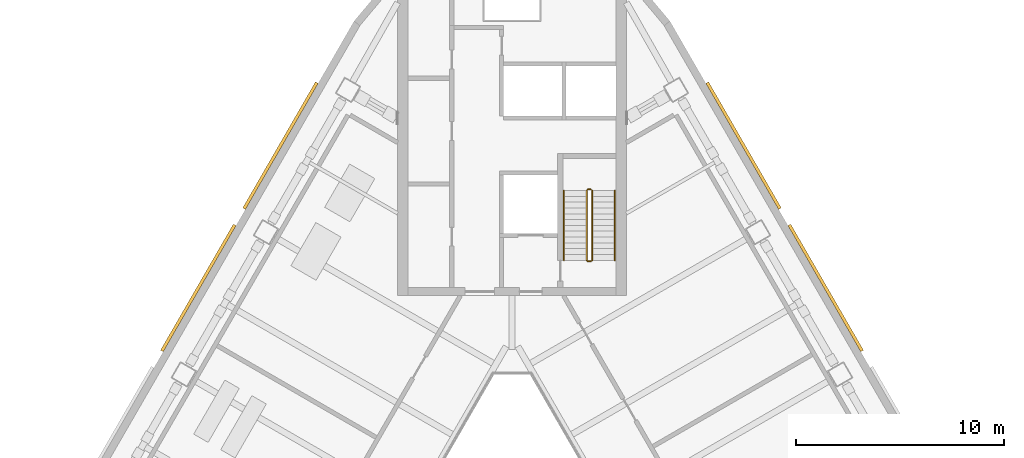
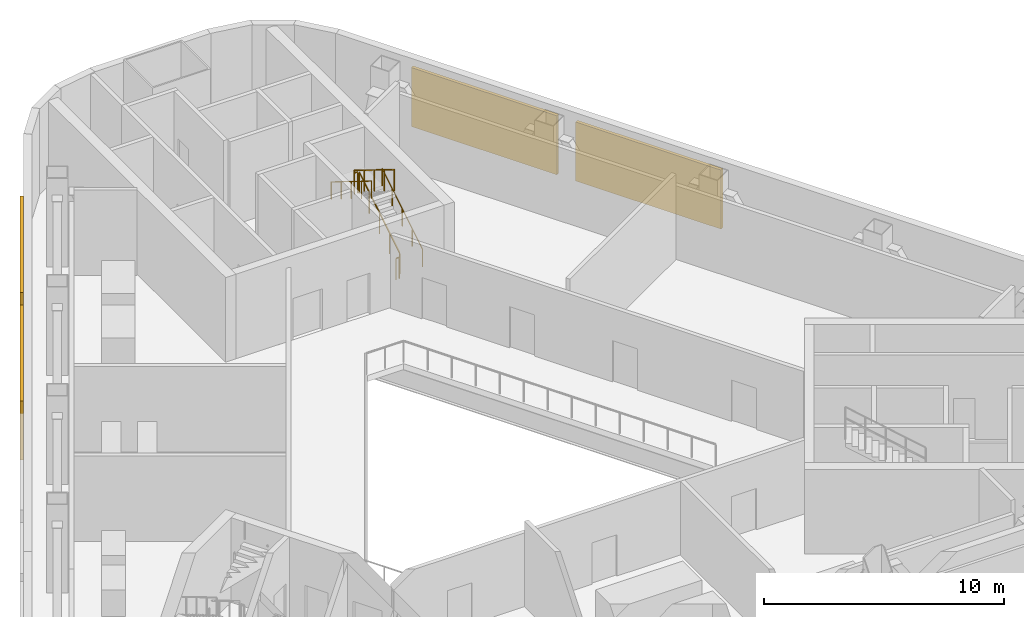
# One storey, part 13 of 14: 6 railings, 4 shading devices.
"""IFC4 building model written with IfcOpenShell, lengths in metres."""

from ifc_helpers import new_model, si_unit, direction, frame, origin, origin_2d, place, context, subcontext, project, spatial, rectangle, circle, extrude, material, type_object, element, save


model = new_model("IFC4")

# Units and contexts
model_context = context("Model", 3, precision=1e-05, world=origin(), true_north=direction((0.0, 1.0)))
body_context = subcontext(model_context, "Body", "Model", "MODEL_VIEW")
ifc_project = project(units=[si_unit("LENGTHUNIT", "METRE"), si_unit("AREAUNIT", "SQUARE_METRE"), si_unit("VOLUMEUNIT", "CUBIC_METRE"), si_unit("PLANEANGLEUNIT", "RADIAN"), si_unit("MASSUNIT", "GRAM", prefix="KILO")], contexts=[model_context])

# Site, building, storey
site_placement = place(None, origin())
site = spatial("IfcSite", under=ifc_project, at=site_placement, CompositionType="ELEMENT")
building_placement = place(site_placement, origin())
building = spatial("IfcBuilding", under=site, at=building_placement, Name="Apuvela Tower Hotel", CompositionType="ELEMENT")
storey_placement = place(building_placement, frame((0.0, 0.0, 142.10009765625)))
storey = spatial("IfcBuildingStorey", under=building, at=storey_placement, Name="L33 Plant", CompositionType="ELEMENT", Elevation=142.10009765625)

# Railings
ifc_material_1 = material(Name="Steel S275 balustrade", Category="steel")
railing_type_1 = type_object("IfcRailingType", Name="COR-GUARD-1100", PredefinedType="GUARDRAIL", material=ifc_material_1)
railing_1_placement = place(storey_placement, frame((3.85009765625, 14.60009765625, 0.173095703125)))
element("IfcRailing", 1, at=railing_1_placement, inside=storey, type_object=railing_type_1, Name="L33 Plant ST1 stair guard 1", PredefinedType="GUARDRAIL", context=body_context, shape_type="SweptSolid", body=[
    extrude(rectangle(XDim=0.048095703125, YDim=0.048095703125, at=origin_2d()), frame((0.0, 0.0, 1.076171875), z_axis=(0.0, 0.850606129759, 0.525803396734), x_axis=(-1.0, 0.0, 0.0)), (0.0, 0.0, 1.0), 3.949951171875),
    extrude(rectangle(XDim=0.0419921875, YDim=0.0419921875, at=origin_2d()), origin(), (0.0, 0.0, 1.0), 1.052001953125),
    extrude(rectangle(XDim=0.0419921875, YDim=0.0419921875, at=origin_2d()), frame((0.0, 0.83984375, 0.519287109375)), (0.0, 0.0, 1.0), 1.052001953125),
    extrude(rectangle(XDim=0.0419921875, YDim=0.0419921875, at=origin_2d()), frame((0.0, 1.679931640625, 1.03857421875)), (0.0, 0.0, 1.0), 1.052001953125),
    extrude(rectangle(XDim=0.0419921875, YDim=0.0419921875, at=origin_2d()), frame((0.0, 2.52001953125, 1.5576171875)), (0.0, 0.0, 1.0), 1.052001953125),
    extrude(rectangle(XDim=0.0419921875, YDim=0.0419921875, at=origin_2d()), frame((0.0, 3.35986328125, 2.076904296875)), (0.0, 0.0, 1.0), 1.052001953125),
])
railing_2_placement = place(storey_placement, frame((3.800048828125, 18.010009765625, 2.25)))
element("IfcRailing", 2, at=railing_2_placement, inside=storey, type_object=railing_type_1, Name="L33 Plant ST1 stair guard 2", PredefinedType="GUARDRAIL", context=body_context, shape_type="SweptSolid", body=[
    extrude(rectangle(XDim=0.048095703125, YDim=0.048095703125, at=origin_2d()), frame((0.0, 0.0, 1.076171875), z_axis=(-1.0, 0.0, 0.0), x_axis=(0.0, -1.0, 0.0)), (0.0, 0.0, 1.0), 0.150146484375),
    extrude(rectangle(XDim=0.0419921875, YDim=0.0419921875, at=origin_2d()), origin(), (0.0, 0.0, 1.0), 1.052001953125),
    extrude(rectangle(XDim=0.0419921875, YDim=0.0419921875, at=origin_2d()), frame((-0.150146484375, 0.0, 0.0)), (0.0, 0.0, 1.0), 1.052001953125),
])
railing_3_placement = place(storey_placement, frame((3.60009765625, 17.9599609375, 2.423095703125)))
element("IfcRailing", 3, at=railing_3_placement, inside=storey, type_object=railing_type_1, Name="L33 Plant ST1 stair guard 3", PredefinedType="GUARDRAIL", context=body_context, shape_type="SweptSolid", body=[
    extrude(rectangle(XDim=0.048095703125, YDim=0.048095703125, at=origin_2d()), frame((0.0, 0.0, 1.076171875), z_axis=(0.0, -0.850606129759, 0.525803396734), x_axis=(1.0, 0.0, 0.0)), (0.0, 0.0, 1.0), 3.949951171875),
    extrude(rectangle(XDim=0.0419921875, YDim=0.0419921875, at=origin_2d()), origin(), (0.0, 0.0, 1.0), 1.052001953125),
    extrude(rectangle(XDim=0.0419921875, YDim=0.0419921875, at=origin_2d()), frame((0.0, -0.83984375, 0.519287109375)), (0.0, 0.0, 1.0), 1.052001953125),
    extrude(rectangle(XDim=0.0419921875, YDim=0.0419921875, at=origin_2d()), frame((0.0, -1.679931640625, 1.03857421875)), (0.0, 0.0, 1.0), 1.052001953125),
    extrude(rectangle(XDim=0.0419921875, YDim=0.0419921875, at=origin_2d()), frame((0.0, -2.52001953125, 1.5576171875)), (0.0, 0.0, 1.0), 1.052001953125),
    extrude(rectangle(XDim=0.0419921875, YDim=0.0419921875, at=origin_2d()), frame((0.0, -3.35986328125, 2.076904296875)), (0.0, 0.0, 1.0), 1.052001953125),
])
railing_4_placement = place(storey_placement, frame((3.800048828125, 14.550048828125, 0.0)))
element("IfcRailing", 4, at=railing_4_placement, inside=storey, type_object=railing_type_1, Name="L33 Plant ST1 stair guard 4", PredefinedType="GUARDRAIL", context=body_context, shape_type="SweptSolid", body=[
    extrude(rectangle(XDim=0.048095703125, YDim=0.048095703125, at=origin_2d()), frame((0.0, 0.0, 1.076171875), z_axis=(-1.0, 0.0, 0.0), x_axis=(0.0, -1.0, 0.0)), (0.0, 0.0, 1.0), 0.150146484375),
    extrude(rectangle(XDim=0.0419921875, YDim=0.0419921875, at=origin_2d()), origin(), (0.0, 0.0, 1.0), 1.052001953125),
    extrude(rectangle(XDim=0.0419921875, YDim=0.0419921875, at=origin_2d()), frame((-0.150146484375, 0.0, 0.0)), (0.0, 0.0, 1.0), 1.052001953125),
])
ifc_material_2 = material(Name="Stainless steel 316 handrail", Category="steel")
railing_type_2 = type_object("IfcRailingType", Name="COR-HANDRAIL-900", PredefinedType="HANDRAIL", material=ifc_material_2)
railing_5_placement = place(storey_placement, frame((4.949951171875, 14.60009765625, 0.173095703125)))
element("IfcRailing", 5, at=railing_5_placement, inside=storey, type_object=railing_type_2, Name="L33 Plant ST1 stair handrail 1", PredefinedType="HANDRAIL", context=body_context, shape_type="SweptSolid", body=[
    extrude(circle(Radius=0.02392578125, at=origin_2d()), frame((0.0, 0.0, 0.8759765625), z_axis=(0.0, 0.850606129759, 0.525803396734), x_axis=(-1.0, 0.0, 0.0)), (0.0, 0.0, 1.0), 3.949951171875),
    extrude(rectangle(XDim=0.0419921875, YDim=0.0419921875, at=origin_2d()), origin(), (0.0, 0.0, 1.0), 0.851806640625),
    extrude(rectangle(XDim=0.0419921875, YDim=0.0419921875, at=origin_2d()), frame((0.0, 0.83984375, 0.519287109375)), (0.0, 0.0, 1.0), 0.851806640625),
    extrude(rectangle(XDim=0.0419921875, YDim=0.0419921875, at=origin_2d()), frame((0.0, 1.679931640625, 1.03857421875)), (0.0, 0.0, 1.0), 0.851806640625),
    extrude(rectangle(XDim=0.0419921875, YDim=0.0419921875, at=origin_2d()), frame((0.0, 2.52001953125, 1.5576171875)), (0.0, 0.0, 1.0), 0.851806640625),
    extrude(rectangle(XDim=0.0419921875, YDim=0.0419921875, at=origin_2d()), frame((0.0, 3.35986328125, 2.076904296875)), (0.0, 0.0, 1.0), 0.851806640625),
])
railing_6_placement = place(storey_placement, frame((2.5, 17.9599609375, 2.423095703125)))
element("IfcRailing", 6, at=railing_6_placement, inside=storey, type_object=railing_type_2, Name="L33 Plant ST1 stair handrail 2", PredefinedType="HANDRAIL", context=body_context, shape_type="SweptSolid", body=[
    extrude(circle(Radius=0.02392578125, at=origin_2d()), frame((0.0, 0.0, 0.8759765625), z_axis=(0.0, -0.850606129759, 0.525803396734), x_axis=(1.0, 0.0, 0.0)), (0.0, 0.0, 1.0), 3.949951171875),
    extrude(rectangle(XDim=0.0419921875, YDim=0.0419921875, at=origin_2d()), origin(), (0.0, 0.0, 1.0), 0.851806640625),
    extrude(rectangle(XDim=0.0419921875, YDim=0.0419921875, at=origin_2d()), frame((0.0, -0.83984375, 0.519287109375)), (0.0, 0.0, 1.0), 0.851806640625),
    extrude(rectangle(XDim=0.0419921875, YDim=0.0419921875, at=origin_2d()), frame((0.0, -1.679931640625, 1.03857421875)), (0.0, 0.0, 1.0), 0.851806640625),
    extrude(rectangle(XDim=0.0419921875, YDim=0.0419921875, at=origin_2d()), frame((0.0, -2.52001953125, 1.5576171875)), (0.0, 0.0, 1.0), 0.851806640625),
    extrude(rectangle(XDim=0.0419921875, YDim=0.0419921875, at=origin_2d()), frame((0.0, -3.35986328125, 2.076904296875)), (0.0, 0.0, 1.0), 0.851806640625),
])

# Shading devices
ifc_material_3 = material(Name="Aluminium 6063-T6, black anodised louvre blades", Category="aluminium")
shading_device_type = type_object("IfcShadingDeviceType", Name="ENV-LOUVRE-SCREEN", PredefinedType="USERDEFINED", material=ifc_material_3)
for number, where, z_axis, x_axis, name in (
    (7, (15.090087890625, 13.273193359375, 0.599853515625), (0.0, 0.0, 1.0), (-0.5, 0.866025403784, 0.0), "Plant louvre NE7"),
    (8, (11.14013671875, 20.114990234375, 0.599853515625), (0.0, 0.0, 1.0), (-0.5, 0.866025403784, 0.0), "Plant louvre NE8"),
    (9, (-11.139892578125, 20.114990234375, 0.599853515625), (0.0, 0.0, 1.0), (-0.5, -0.866025403784, 0.0), "Plant louvre NW9"),
    (10, (-15.090087890625, 13.273193359375, 0.599853515625), (0.0, 0.0, 1.0), (-0.5, -0.866025403784, 0.0), "Plant louvre NW10"),
):
    element("IfcShadingDevice", number, at=place(storey_placement, frame(where, z_axis=z_axis, x_axis=x_axis)), inside=storey, type_object=shading_device_type, Name=name, ObjectType="LOUVRE", PredefinedType="USERDEFINED", context=body_context, shape_type="SweptSolid", body=[
        extrude(rectangle(XDim=7.0, YDim=0.14990234375, at=origin_2d()), origin(), (0.0, 0.0, 1.0), 3.0),
    ])

save(model, "model.ifc")
